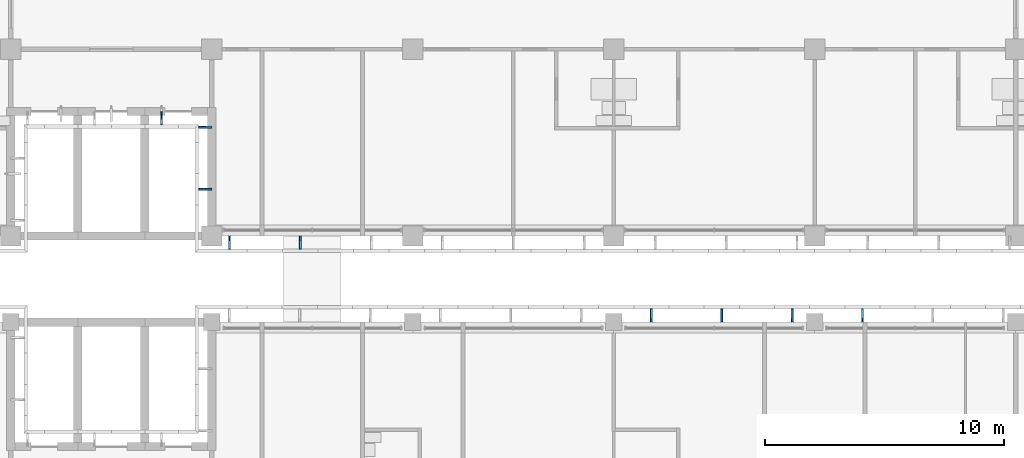
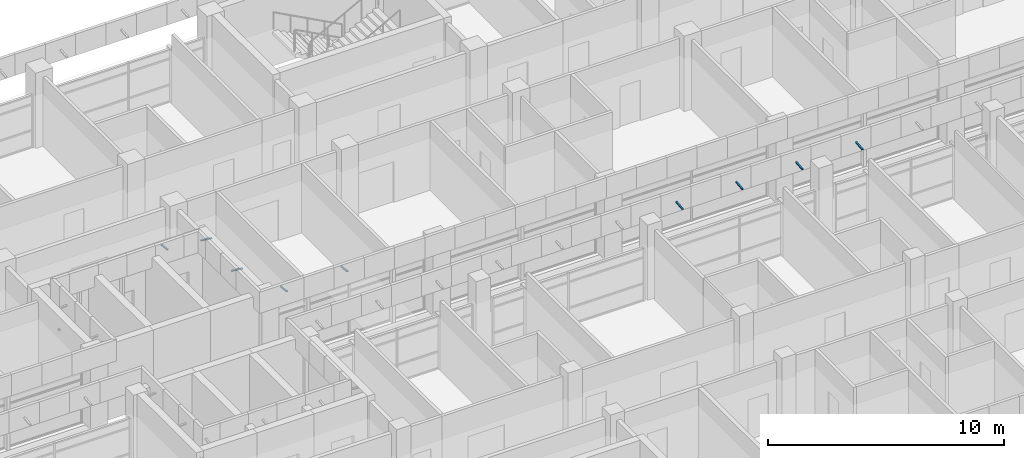
# One storey, part 53 of 74: 9 discrete accessories.
"""IFC4 building model written with IfcOpenShell, lengths in metres."""

from ifc_helpers import new_model, si_unit, direction, frame, origin, origin_2d, place, context, subcontext, project, spatial, rectangle, extrude, material, material_profile, profile_set, type_object, element, save


model = new_model("IFC4")

# Units and contexts
model_context = context("Model", 3, precision=1e-05, world=origin(), true_north=direction((0.0, 1.0)))
body_context = subcontext(model_context, "Body", "Model", "MODEL_VIEW")
ifc_project = project(units=[si_unit("LENGTHUNIT", "METRE"), si_unit("AREAUNIT", "SQUARE_METRE"), si_unit("VOLUMEUNIT", "CUBIC_METRE"), si_unit("PLANEANGLEUNIT", "RADIAN"), si_unit("MASSUNIT", "GRAM", prefix="KILO")], contexts=[model_context])

# Site, building, storey
site_placement = place(None, origin())
site = spatial("IfcSite", under=ifc_project, at=site_placement, CompositionType="ELEMENT")
building_placement = place(site_placement, origin())
building = spatial("IfcBuilding", under=site, at=building_placement, Name="Bougainvillea Quay General Hospital", CompositionType="ELEMENT")
storey_placement = place(building_placement, frame((0.0, 0.0, 21.0)))
storey = spatial("IfcBuildingStorey", under=building, at=storey_placement, Name="L04", CompositionType="ELEMENT", Elevation=21.0)

# Discrete accessories
ifc_material = material(Name="Stainless steel bracket, grade 316", Category="steel")
ifc_material_profile = material_profile(ifc_material, rectangle(XDim=0.080078125, YDim=0.050048828125, at=origin_2d()))
ifc_profile_set = profile_set([ifc_material_profile], Name="Stainless steel bracket, grade 316")
discrete_accessory_type = type_object("IfcDiscreteAccessoryType", Name="Stainless steel stand-off bracket 80x50", PredefinedType="BRACKET", material=ifc_profile_set)
for number, where, z_axis, x_axis, name in (
    (1, (73.5, 145.60009765625, 3.840087890625), (0.0, -0.994139309541, 0.108106582706), (1.0, 0.0, 0.0), "Fascia bracket e0 135"),
    (2, (75.60009765625, 144.949951171875, 3.840087890625), (-0.994139309541, 0.0, 0.108106582706), (0.0, -1.0, 0.0), "Fascia bracket e0 137"),
    (3, (75.60009765625, 142.35009765625, 3.840087890625), (-0.994139309541, 0.0, 0.108106582706), (0.0, -1.0, 0.0), "Fascia bracket e0 139"),
):
    element("IfcDiscreteAccessory", number, at=place(storey_placement, frame(where, z_axis=z_axis, x_axis=x_axis)), inside=storey, type_object=discrete_accessory_type, Name=name, PredefinedType="BRACKET", context=body_context, shape_type="SweptSolid", body=[
        extrude(rectangle(XDim=0.080078125, YDim=0.050048828125, at=origin_2d()), origin(), (0.0, 0.0, 1.0), 0.55322265625),
    ])
for number, where, z_axis, x_axis, name in (
    (4, (76.341064453125, 140.39990234375, 3.840087890625), (0.0, -0.994134149227, 0.108154026004), (1.0, 0.0, 0.0), "Fascia bracket e0 141"),
    (5, (79.305908203125, 140.39990234375, 3.840087890625), (0.0, -0.994134149227, 0.108154026004), (1.0, 0.0, 0.0), "Fascia bracket e0 143"),
):
    element("IfcDiscreteAccessory", number, at=place(storey_placement, frame(where, z_axis=z_axis, x_axis=x_axis)), inside=storey, type_object=discrete_accessory_type, Name=name, PredefinedType="BRACKET", context=body_context, shape_type="SweptSolid", body=[
        extrude(rectangle(XDim=0.080078125, YDim=0.050048828125, at=origin_2d()), origin(), (0.0, 0.0, 1.0), 0.552978515625),
    ])
for number, where, z_axis, x_axis, name in (
    (6, (102.794921875, 136.800048828125, 3.840087890625), (0.0, 0.994139309541, 0.108106582706), (-1.0, 0.0, 0.0), "Fascia bracket e0 163"),
    (7, (99.85498046875, 136.800048828125, 3.840087890625), (0.0, 0.994139309541, 0.108106582706), (-1.0, 0.0, 0.0), "Fascia bracket e0 165"),
    (8, (96.9150390625, 136.800048828125, 3.840087890625), (0.0, 0.994139309541, 0.108106582706), (-1.0, 0.0, 0.0), "Fascia bracket e0 167"),
    (9, (93.97509765625, 136.800048828125, 3.840087890625), (0.0, 0.994139309541, 0.108106582706), (-1.0, 0.0, 0.0), "Fascia bracket e0 169"),
):
    element("IfcDiscreteAccessory", number, at=place(storey_placement, frame(where, z_axis=z_axis, x_axis=x_axis)), inside=storey, type_object=discrete_accessory_type, Name=name, PredefinedType="BRACKET", context=body_context, shape_type="SweptSolid", body=[
        extrude(rectangle(XDim=0.080078125, YDim=0.050048828125, at=origin_2d()), origin(), (0.0, 0.0, 1.0), 0.55322265625),
    ])

save(model, "model.ifc")
